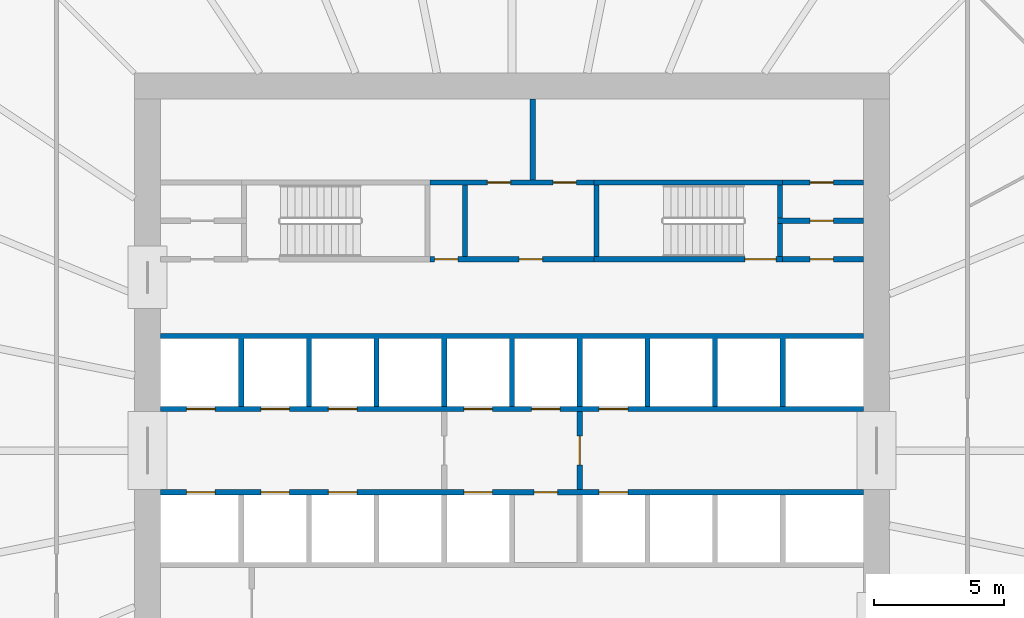
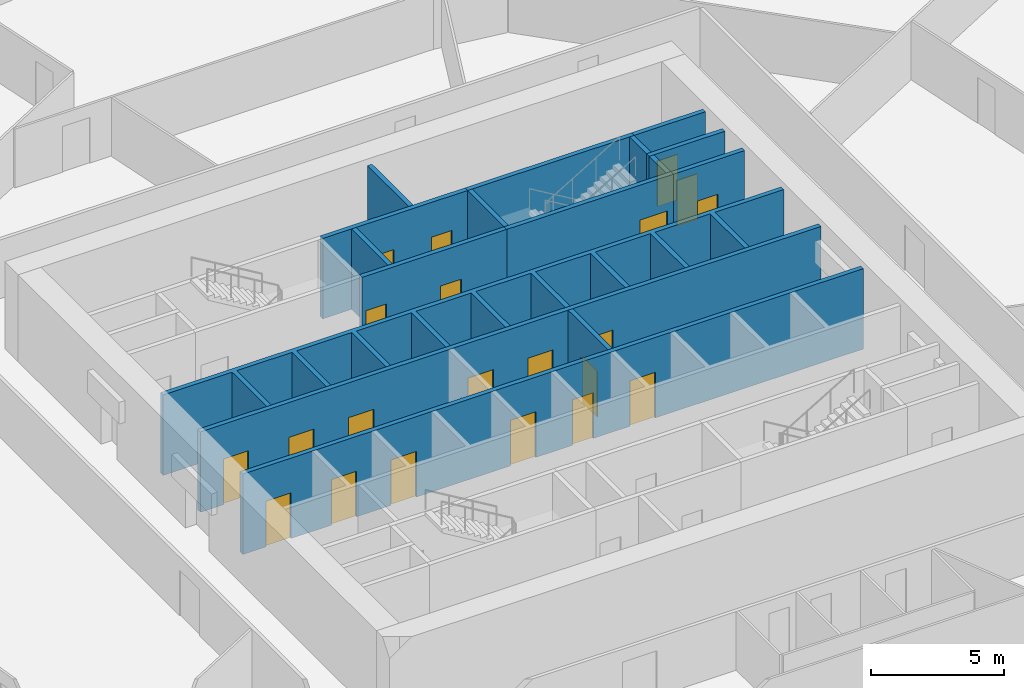
# One storey, part 6 of 8: 21 doors, 16 walls, 21 openings.
"""IFC4 building model written with IfcOpenShell, lengths in metres."""

from ifc_helpers import new_model, si_unit, direction, frame, frame_2d, origin, place, context, subcontext, project, spatial, polyline, rectangle, outline, extrude, material, layer, layer_set, type_object, element, fill, save


model = new_model("IFC4")

# Units and contexts
model_context = context("Model", 3, precision=1e-05, world=origin(), true_north=direction((0.0, 1.0)))
body_context = subcontext(model_context, "Body", "Model", "MODEL_VIEW")
ifc_project = project(units=[si_unit("LENGTHUNIT", "METRE"), si_unit("AREAUNIT", "SQUARE_METRE"), si_unit("VOLUMEUNIT", "CUBIC_METRE"), si_unit("PLANEANGLEUNIT", "RADIAN"), si_unit("MASSUNIT", "GRAM", prefix="KILO")], contexts=[model_context])

# Site, building, storey
site_placement = place(None, origin())
site = spatial("IfcSite", under=ifc_project, at=site_placement, CompositionType="ELEMENT")
building_placement = place(site_placement, origin())
building = spatial("IfcBuilding", under=site, at=building_placement, Name="Corvane Civic Tower", CompositionType="ELEMENT")
storey_placement = place(building_placement, frame((0.0, 0.0, 110.5)))
storey = spatial("IfcBuildingStorey", under=building, at=storey_placement, Name="L25", CompositionType="ELEMENT", Elevation=110.5)

# Wall, openings, doors
ifc_material_1 = material(Name="Concrete C30/37", Category="concrete")
ifc_layer_1 = layer(ifc_material_1, 0.199951171875)
ifc_layer_set_1 = layer_set([ifc_layer_1], Name="Concrete C30/37")
wall_type_1 = type_object("IfcWallType", Name="CR-WALL-200", PredefinedType="PARTITIONING", material=ifc_layer_set_1)
wall_1_placement = place(storey_placement, frame((-13.5, -1.60009765625, 0.0), z_axis=(0.0, 0.0, 1.0), x_axis=(1.0, 0.0, 0.0)))
wall_1 = element("IfcWall", 1, at=wall_1_placement, inside=storey, type_object=wall_type_1, Name="L25 lift shaft wall", PredefinedType="PARTITIONING", context=body_context, shape_type="SweptSolid", body=[
    extrude(rectangle(XDim=27.0, YDim=0.199951171875, at=frame_2d((13.5, 0.0))), origin(), (0.0, 0.0, 1.0), 3.699951171875),
])
opening_1_placement = place(wall_1_placement, frame((1.0, 0.0, 0.0)))
opening_1 = element("IfcOpeningElement", 2, at=opening_1_placement, cuts=wall_1, Name="Opening LD", PredefinedType="OPENING", context=body_context, shape_type="SweptSolid", body=[
    extrude(rectangle(XDim=1.10009765625, YDim=2.10009765625, at=frame_2d((0.550048828125, 1.050048828125))), frame((0.0, 0.10986328125, 0.0), z_axis=(0.0, -1.0, 0.0), x_axis=(1.0, 0.0, 0.0)), (0.0, 0.0, 1.0), 0.219970703125),
])
opening_2_placement = place(wall_1_placement, frame((3.85009765625, 0.0, 0.0)))
opening_2 = element("IfcOpeningElement", 3, at=opening_2_placement, cuts=wall_1, Name="Opening LD", PredefinedType="OPENING", context=body_context, shape_type="SweptSolid", body=[
    extrude(rectangle(XDim=1.10009765625, YDim=2.10009765625, at=frame_2d((0.550048828125, 1.050048828125))), frame((0.0, 0.10986328125, 0.0), z_axis=(0.0, -1.0, 0.0), x_axis=(1.0, 0.0, 0.0)), (0.0, 0.0, 1.0), 0.219970703125),
])
opening_3_placement = place(wall_1_placement, frame((6.449951171875, 0.0, 0.0)))
opening_3 = element("IfcOpeningElement", 4, at=opening_3_placement, cuts=wall_1, Name="Opening LD", PredefinedType="OPENING", context=body_context, shape_type="SweptSolid", body=[
    extrude(rectangle(XDim=1.10009765625, YDim=2.10009765625, at=frame_2d((0.550048828125, 1.050048828125))), frame((0.0, 0.10986328125, 0.0), z_axis=(0.0, -1.0, 0.0), x_axis=(1.0, 0.0, 0.0)), (0.0, 0.0, 1.0), 0.219970703125),
])
opening_4_placement = place(wall_1_placement, frame((11.64990234375, 0.0, 0.0)))
opening_4 = element("IfcOpeningElement", 5, at=opening_4_placement, cuts=wall_1, Name="Opening LD", PredefinedType="OPENING", context=body_context, shape_type="SweptSolid", body=[
    extrude(rectangle(XDim=1.10009765625, YDim=2.10009765625, at=frame_2d((0.550048828125, 1.050048828125))), frame((0.0, 0.10986328125, 0.0), z_axis=(0.0, -1.0, 0.0), x_axis=(1.0, 0.0, 0.0)), (0.0, 0.0, 1.0), 0.219970703125),
])
opening_5_placement = place(wall_1_placement, frame((14.35009765625, 0.0, 0.0)))
opening_5 = element("IfcOpeningElement", 6, at=opening_5_placement, cuts=wall_1, Name="Opening L25.C01", PredefinedType="OPENING", context=body_context, shape_type="SweptSolid", body=[
    extrude(rectangle(XDim=0.89990234375, YDim=2.10009765625, at=frame_2d((0.449951171875, 1.050048828125))), frame((0.0, 0.10986328125, 0.0), z_axis=(0.0, -1.0, 0.0), x_axis=(1.0, 0.0, 0.0)), (0.0, 0.0, 1.0), 0.219970703125),
])
opening_6_placement = place(wall_1_placement, frame((16.85009765625, 0.0, 0.0)))
opening_6 = element("IfcOpeningElement", 7, at=opening_6_placement, cuts=wall_1, Name="Opening LD", PredefinedType="OPENING", context=body_context, shape_type="SweptSolid", body=[
    extrude(rectangle(XDim=1.10009765625, YDim=2.10009765625, at=frame_2d((0.550048828125, 1.050048828125))), frame((0.0, 0.10986328125, 0.0), z_axis=(0.0, -1.0, 0.0), x_axis=(1.0, 0.0, 0.0)), (0.0, 0.0, 1.0), 0.219970703125),
])
ifc_material_2 = material(Name="Steel fire door leaf", Category="steel")
door_type_1 = type_object("IfcDoorType", Name="CR-DOOR-900", OperationType="SINGLE_SWING_LEFT", PredefinedType="DOOR", material=ifc_material_2)
door_1_placement = place(opening_5_placement, origin())
door_1 = element("IfcDoor", 8, at=door_1_placement, inside=storey, type_object=door_type_1, Name="L25 door", OperationType="SINGLE_SWING_LEFT", OverallHeight=2.10009765625, OverallWidth=0.89990234375, PredefinedType="DOOR", context=body_context, shape_type="SweptSolid", body=[
    extrude(rectangle(XDim=0.89990234375, YDim=2.10009765625, at=frame_2d((0.449951171875, 1.050048828125))), frame((0.0, 0.02490234375, 0.0), z_axis=(0.0, -1.0, 0.0), x_axis=(1.0, 0.0, 0.0)), (0.0, 0.0, 1.0), 0.050048828125),
])
fill(opening_5, door_1)
ifc_material_3 = material(Name="Stainless steel 316 door leaves", Category="steel")
door_type_2 = type_object("IfcDoorType", Name="LD", OperationType="DOUBLE_DOOR_SLIDING", PredefinedType="DOOR", material=ifc_material_3)
door_2_placement = place(opening_1_placement, origin())
door_2 = element("IfcDoor", 9, at=door_2_placement, inside=storey, type_object=door_type_2, Name="L25 landing door", OperationType="DOUBLE_DOOR_SLIDING", OverallHeight=2.10009765625, OverallWidth=1.10009765625, PredefinedType="DOOR", context=body_context, shape_type="SweptSolid", body=[
    extrude(rectangle(XDim=1.10009765625, YDim=2.10009765625, at=frame_2d((0.550048828125, 1.050048828125))), frame((0.0, 0.02490234375, 0.0), z_axis=(0.0, -1.0, 0.0), x_axis=(1.0, 0.0, 0.0)), (0.0, 0.0, 1.0), 0.050048828125),
])
fill(opening_1, door_2)
door_3_placement = place(opening_2_placement, origin())
door_3 = element("IfcDoor", 10, at=door_3_placement, inside=storey, type_object=door_type_2, Name="L25 landing door", OperationType="DOUBLE_DOOR_SLIDING", OverallHeight=2.10009765625, OverallWidth=1.10009765625, PredefinedType="DOOR", context=body_context, shape_type="SweptSolid", body=[
    extrude(rectangle(XDim=1.10009765625, YDim=2.10009765625, at=frame_2d((0.550048828125, 1.050048828125))), frame((0.0, 0.02490234375, 0.0), z_axis=(0.0, -1.0, 0.0), x_axis=(1.0, 0.0, 0.0)), (0.0, 0.0, 1.0), 0.050048828125),
])
fill(opening_2, door_3)
door_4_placement = place(opening_3_placement, origin())
door_4 = element("IfcDoor", 11, at=door_4_placement, inside=storey, type_object=door_type_2, Name="L25 landing door", OperationType="DOUBLE_DOOR_SLIDING", OverallHeight=2.10009765625, OverallWidth=1.10009765625, PredefinedType="DOOR", context=body_context, shape_type="SweptSolid", body=[
    extrude(rectangle(XDim=1.10009765625, YDim=2.10009765625, at=frame_2d((0.550048828125, 1.050048828125))), frame((0.0, 0.02490234375, 0.0), z_axis=(0.0, -1.0, 0.0), x_axis=(1.0, 0.0, 0.0)), (0.0, 0.0, 1.0), 0.050048828125),
])
fill(opening_3, door_4)
door_5_placement = place(opening_4_placement, origin())
door_5 = element("IfcDoor", 12, at=door_5_placement, inside=storey, type_object=door_type_2, Name="L25 landing door", OperationType="DOUBLE_DOOR_SLIDING", OverallHeight=2.10009765625, OverallWidth=1.10009765625, PredefinedType="DOOR", context=body_context, shape_type="SweptSolid", body=[
    extrude(rectangle(XDim=1.10009765625, YDim=2.10009765625, at=frame_2d((0.550048828125, 1.050048828125))), frame((0.0, 0.02490234375, 0.0), z_axis=(0.0, -1.0, 0.0), x_axis=(1.0, 0.0, 0.0)), (0.0, 0.0, 1.0), 0.050048828125),
])
fill(opening_4, door_5)
door_6_placement = place(opening_6_placement, origin())
door_6 = element("IfcDoor", 13, at=door_6_placement, inside=storey, type_object=door_type_2, Name="L25 landing door", OperationType="DOUBLE_DOOR_SLIDING", OverallHeight=2.10009765625, OverallWidth=1.10009765625, PredefinedType="DOOR", context=body_context, shape_type="SweptSolid", body=[
    extrude(rectangle(XDim=1.10009765625, YDim=2.10009765625, at=frame_2d((0.550048828125, 1.050048828125))), frame((0.0, 0.02490234375, 0.0), z_axis=(0.0, -1.0, 0.0), x_axis=(1.0, 0.0, 0.0)), (0.0, 0.0, 1.0), 0.050048828125),
])
fill(opening_6, door_6)

wall_2_placement = place(storey_placement, frame((-13.5, 1.60009765625, 0.0), z_axis=(0.0, 0.0, 1.0), x_axis=(1.0, 0.0, 0.0)))
wall_2 = element("IfcWall", 14, at=wall_2_placement, inside=storey, type_object=wall_type_1, Name="L25 lift shaft wall", PredefinedType="PARTITIONING", context=body_context, shape_type="SweptSolid", body=[
    extrude(rectangle(XDim=27.0, YDim=0.199951171875, at=frame_2d((13.5, 0.0))), origin(), (0.0, 0.0, 1.0), 3.699951171875),
])
opening_7_placement = place(wall_2_placement, frame((1.0, 0.0, 0.0)))
opening_7 = element("IfcOpeningElement", 15, at=opening_7_placement, cuts=wall_2, Name="Opening LD", PredefinedType="OPENING", context=body_context, shape_type="SweptSolid", body=[
    extrude(rectangle(XDim=1.10009765625, YDim=2.10009765625, at=frame_2d((0.550048828125, 1.050048828125))), frame((0.0, 0.10986328125, 0.0), z_axis=(0.0, -1.0, 0.0), x_axis=(1.0, 0.0, 0.0)), (0.0, 0.0, 1.0), 0.219970703125),
])
opening_8_placement = place(wall_2_placement, frame((3.85009765625, 0.0, 0.0)))
opening_8 = element("IfcOpeningElement", 16, at=opening_8_placement, cuts=wall_2, Name="Opening LD", PredefinedType="OPENING", context=body_context, shape_type="SweptSolid", body=[
    extrude(rectangle(XDim=1.10009765625, YDim=2.10009765625, at=frame_2d((0.550048828125, 1.050048828125))), frame((0.0, 0.10986328125, 0.0), z_axis=(0.0, -1.0, 0.0), x_axis=(1.0, 0.0, 0.0)), (0.0, 0.0, 1.0), 0.219970703125),
])
opening_9_placement = place(wall_2_placement, frame((6.449951171875, 0.0, 0.0)))
opening_9 = element("IfcOpeningElement", 17, at=opening_9_placement, cuts=wall_2, Name="Opening LD", PredefinedType="OPENING", context=body_context, shape_type="SweptSolid", body=[
    extrude(rectangle(XDim=1.10009765625, YDim=2.10009765625, at=frame_2d((0.550048828125, 1.050048828125))), frame((0.0, 0.10986328125, 0.0), z_axis=(0.0, -1.0, 0.0), x_axis=(1.0, 0.0, 0.0)), (0.0, 0.0, 1.0), 0.219970703125),
])
opening_10_placement = place(wall_2_placement, frame((11.64990234375, 0.0, 0.0)))
opening_10 = element("IfcOpeningElement", 18, at=opening_10_placement, cuts=wall_2, Name="Opening LD", PredefinedType="OPENING", context=body_context, shape_type="SweptSolid", body=[
    extrude(rectangle(XDim=1.10009765625, YDim=2.10009765625, at=frame_2d((0.550048828125, 1.050048828125))), frame((0.0, 0.10986328125, 0.0), z_axis=(0.0, -1.0, 0.0), x_axis=(1.0, 0.0, 0.0)), (0.0, 0.0, 1.0), 0.219970703125),
])
opening_11_placement = place(wall_2_placement, frame((14.25, 0.0, 0.0)))
opening_11 = element("IfcOpeningElement", 19, at=opening_11_placement, cuts=wall_2, Name="Opening LD", PredefinedType="OPENING", context=body_context, shape_type="SweptSolid", body=[
    extrude(rectangle(XDim=1.10009765625, YDim=2.10009765625, at=frame_2d((0.550048828125, 1.050048828125))), frame((0.0, 0.10986328125, 0.0), z_axis=(0.0, -1.0, 0.0), x_axis=(1.0, 0.0, 0.0)), (0.0, 0.0, 1.0), 0.219970703125),
])
opening_12_placement = place(wall_2_placement, frame((16.85009765625, 0.0, 0.0)))
opening_12 = element("IfcOpeningElement", 20, at=opening_12_placement, cuts=wall_2, Name="Opening LD", PredefinedType="OPENING", context=body_context, shape_type="SweptSolid", body=[
    extrude(rectangle(XDim=1.10009765625, YDim=2.10009765625, at=frame_2d((0.550048828125, 1.050048828125))), frame((0.0, 0.10986328125, 0.0), z_axis=(0.0, -1.0, 0.0), x_axis=(1.0, 0.0, 0.0)), (0.0, 0.0, 1.0), 0.219970703125),
])
door_7_placement = place(opening_7_placement, origin())
door_7 = element("IfcDoor", 21, at=door_7_placement, inside=storey, type_object=door_type_2, Name="L25 landing door", OperationType="DOUBLE_DOOR_SLIDING", OverallHeight=2.10009765625, OverallWidth=1.10009765625, PredefinedType="DOOR", context=body_context, shape_type="SweptSolid", body=[
    extrude(rectangle(XDim=1.10009765625, YDim=2.10009765625, at=frame_2d((0.550048828125, 1.050048828125))), frame((0.0, 0.02490234375, 0.0), z_axis=(0.0, -1.0, 0.0), x_axis=(1.0, 0.0, 0.0)), (0.0, 0.0, 1.0), 0.050048828125),
])
fill(opening_7, door_7)
door_8_placement = place(opening_8_placement, origin())
door_8 = element("IfcDoor", 22, at=door_8_placement, inside=storey, type_object=door_type_2, Name="L25 landing door", OperationType="DOUBLE_DOOR_SLIDING", OverallHeight=2.10009765625, OverallWidth=1.10009765625, PredefinedType="DOOR", context=body_context, shape_type="SweptSolid", body=[
    extrude(rectangle(XDim=1.10009765625, YDim=2.10009765625, at=frame_2d((0.550048828125, 1.050048828125))), frame((0.0, 0.02490234375, 0.0), z_axis=(0.0, -1.0, 0.0), x_axis=(1.0, 0.0, 0.0)), (0.0, 0.0, 1.0), 0.050048828125),
])
fill(opening_8, door_8)
door_9_placement = place(opening_9_placement, origin())
door_9 = element("IfcDoor", 23, at=door_9_placement, inside=storey, type_object=door_type_2, Name="L25 landing door", OperationType="DOUBLE_DOOR_SLIDING", OverallHeight=2.10009765625, OverallWidth=1.10009765625, PredefinedType="DOOR", context=body_context, shape_type="SweptSolid", body=[
    extrude(rectangle(XDim=1.10009765625, YDim=2.10009765625, at=frame_2d((0.550048828125, 1.050048828125))), frame((0.0, 0.02490234375, 0.0), z_axis=(0.0, -1.0, 0.0), x_axis=(1.0, 0.0, 0.0)), (0.0, 0.0, 1.0), 0.050048828125),
])
fill(opening_9, door_9)
door_10_placement = place(opening_10_placement, origin())
door_10 = element("IfcDoor", 24, at=door_10_placement, inside=storey, type_object=door_type_2, Name="L25 landing door", OperationType="DOUBLE_DOOR_SLIDING", OverallHeight=2.10009765625, OverallWidth=1.10009765625, PredefinedType="DOOR", context=body_context, shape_type="SweptSolid", body=[
    extrude(rectangle(XDim=1.10009765625, YDim=2.10009765625, at=frame_2d((0.550048828125, 1.050048828125))), frame((0.0, 0.02490234375, 0.0), z_axis=(0.0, -1.0, 0.0), x_axis=(1.0, 0.0, 0.0)), (0.0, 0.0, 1.0), 0.050048828125),
])
fill(opening_10, door_10)
door_11_placement = place(opening_11_placement, origin())
door_11 = element("IfcDoor", 25, at=door_11_placement, inside=storey, type_object=door_type_2, Name="L25 landing door", OperationType="DOUBLE_DOOR_SLIDING", OverallHeight=2.10009765625, OverallWidth=1.10009765625, PredefinedType="DOOR", context=body_context, shape_type="SweptSolid", body=[
    extrude(rectangle(XDim=1.10009765625, YDim=2.10009765625, at=frame_2d((0.550048828125, 1.050048828125))), frame((0.0, 0.02490234375, 0.0), z_axis=(0.0, -1.0, 0.0), x_axis=(1.0, 0.0, 0.0)), (0.0, 0.0, 1.0), 0.050048828125),
])
fill(opening_11, door_11)
door_12_placement = place(opening_12_placement, origin())
door_12 = element("IfcDoor", 26, at=door_12_placement, inside=storey, type_object=door_type_2, Name="L25 landing door", OperationType="DOUBLE_DOOR_SLIDING", OverallHeight=2.10009765625, OverallWidth=1.10009765625, PredefinedType="DOOR", context=body_context, shape_type="SweptSolid", body=[
    extrude(rectangle(XDim=1.10009765625, YDim=2.10009765625, at=frame_2d((0.550048828125, 1.050048828125))), frame((0.0, 0.02490234375, 0.0), z_axis=(0.0, -1.0, 0.0), x_axis=(1.0, 0.0, 0.0)), (0.0, 0.0, 1.0), 0.050048828125),
])
fill(opening_12, door_12)

wall_3_placement = place(storey_placement, frame((-3.14990234375, 7.35009765625, 0.0), z_axis=(0.0, 0.0, 1.0), x_axis=(1.0, 0.0, 0.0)))
wall_3 = element("IfcWall", 27, at=wall_3_placement, inside=storey, type_object=wall_type_1, Name="L25 core partition wall", PredefinedType="PARTITIONING", context=body_context, shape_type="SweptSolid", body=[
    extrude(rectangle(XDim=6.2998046875, YDim=0.199951171875, at=frame_2d((3.14990234375, 0.0))), origin(), (0.0, 0.0, 1.0), 3.699951171875),
])
opening_13_placement = place(wall_3_placement, frame((0.175048828125, 0.0, 0.0)))
opening_13 = element("IfcOpeningElement", 28, at=opening_13_placement, cuts=wall_3, Name="Opening L25.C02", PredefinedType="OPENING", context=body_context, shape_type="SweptSolid", body=[
    extrude(rectangle(XDim=0.89990234375, YDim=2.10009765625, at=frame_2d((0.449951171875, 1.050048828125))), frame((0.0, 0.10986328125, 0.0), z_axis=(0.0, -1.0, 0.0), x_axis=(1.0, 0.0, 0.0)), (0.0, 0.0, 1.0), 0.219970703125),
])
opening_14_placement = place(wall_3_placement, frame((3.425048828125, 0.0, 0.0)))
opening_14 = element("IfcOpeningElement", 29, at=opening_14_placement, cuts=wall_3, Name="Opening L25.C03", PredefinedType="OPENING", context=body_context, shape_type="SweptSolid", body=[
    extrude(rectangle(XDim=0.89990234375, YDim=2.10009765625, at=frame_2d((0.449951171875, 1.050048828125))), frame((0.0, 0.10986328125, 0.0), z_axis=(0.0, -1.0, 0.0), x_axis=(1.0, 0.0, 0.0)), (0.0, 0.0, 1.0), 0.219970703125),
])
door_13_placement = place(opening_13_placement, origin())
door_13 = element("IfcDoor", 30, at=door_13_placement, inside=storey, type_object=door_type_1, Name="L25 door", OperationType="SINGLE_SWING_LEFT", OverallHeight=2.10009765625, OverallWidth=0.89990234375, PredefinedType="DOOR", context=body_context, shape_type="SweptSolid", body=[
    extrude(rectangle(XDim=0.89990234375, YDim=2.10009765625, at=frame_2d((0.449951171875, 1.050048828125))), frame((0.0, 0.02490234375, 0.0), z_axis=(0.0, -1.0, 0.0), x_axis=(1.0, 0.0, 0.0)), (0.0, 0.0, 1.0), 0.050048828125),
])
fill(opening_13, door_13)
door_14_placement = place(opening_14_placement, origin())
door_14 = element("IfcDoor", 31, at=door_14_placement, inside=storey, type_object=door_type_1, Name="L25 door", OperationType="SINGLE_SWING_LEFT", OverallHeight=2.10009765625, OverallWidth=0.89990234375, PredefinedType="DOOR", context=body_context, shape_type="SweptSolid", body=[
    extrude(rectangle(XDim=0.89990234375, YDim=2.10009765625, at=frame_2d((0.449951171875, 1.050048828125))), frame((0.0, 0.02490234375, 0.0), z_axis=(0.0, -1.0, 0.0), x_axis=(1.0, 0.0, 0.0)), (0.0, 0.0, 1.0), 0.050048828125),
])
fill(opening_14, door_14)

# Wall, opening, door
wall_4_placement = place(storey_placement, frame((10.39990234375, 7.35009765625, 0.0), z_axis=(0.0, 0.0, 1.0), x_axis=(1.0, 0.0, 0.0)))
wall_4 = element("IfcWall", 32, at=wall_4_placement, inside=storey, type_object=wall_type_1, Name="L25 core partition wall", PredefinedType="PARTITIONING", context=body_context, shape_type="SweptSolid", body=[
    extrude(rectangle(XDim=3.10009765625, YDim=0.199951171875, at=frame_2d((1.550048828125, 0.0))), origin(), (0.0, 0.0, 1.0), 3.699951171875),
])
opening_15_placement = place(wall_4_placement, frame((1.050048828125, 0.0, 0.0)))
opening_15 = element("IfcOpeningElement", 33, at=opening_15_placement, cuts=wall_4, Name="Opening L25.C14", PredefinedType="OPENING", context=body_context, shape_type="SweptSolid", body=[
    extrude(rectangle(XDim=0.89990234375, YDim=2.10009765625, at=frame_2d((0.449951171875, 1.050048828125))), frame((0.0, 0.10986328125, 0.0), z_axis=(0.0, -1.0, 0.0), x_axis=(1.0, 0.0, 0.0)), (0.0, 0.0, 1.0), 0.219970703125),
])
door_15_placement = place(opening_15_placement, origin())
door_15 = element("IfcDoor", 34, at=door_15_placement, inside=storey, type_object=door_type_1, Name="L25 door", OperationType="SINGLE_SWING_LEFT", OverallHeight=2.10009765625, OverallWidth=0.89990234375, PredefinedType="DOOR", context=body_context, shape_type="SweptSolid", body=[
    extrude(rectangle(XDim=0.89990234375, YDim=2.10009765625, at=frame_2d((0.449951171875, 1.050048828125))), frame((0.0, 0.02490234375, 0.0), z_axis=(0.0, -1.0, 0.0), x_axis=(1.0, 0.0, 0.0)), (0.0, 0.0, 1.0), 0.050048828125),
])
fill(opening_15, door_15)

wall_5_placement = place(storey_placement, frame((10.199951171875, 8.824951171875, 0.0), z_axis=(0.0, 0.0, 1.0), x_axis=(1.0, 0.0, 0.0)))
wall_5 = element("IfcWall", 35, at=wall_5_placement, inside=storey, type_object=wall_type_1, Name="L25 partition wall", PredefinedType="PARTITIONING", context=body_context, shape_type="SweptSolid", body=[
    extrude(rectangle(XDim=3.300048828125, YDim=0.199951171875, at=frame_2d((1.64990234375, 0.0))), origin(), (0.0, 0.0, 1.0), 3.699951171875),
])
opening_16_placement = place(wall_5_placement, frame((1.25, 0.0, 0.0)))
opening_16 = element("IfcOpeningElement", 36, at=opening_16_placement, cuts=wall_5, Name="Opening L25.C15", PredefinedType="OPENING", context=body_context, shape_type="SweptSolid", body=[
    extrude(rectangle(XDim=0.89990234375, YDim=2.10009765625, at=frame_2d((0.449951171875, 1.050048828125))), frame((0.0, 0.10986328125, 0.0), z_axis=(0.0, -1.0, 0.0), x_axis=(1.0, 0.0, 0.0)), (0.0, 0.0, 1.0), 0.219970703125),
])
door_16_placement = place(opening_16_placement, origin())
door_16 = element("IfcDoor", 37, at=door_16_placement, inside=storey, type_object=door_type_1, Name="L25 door", OperationType="SINGLE_SWING_LEFT", OverallHeight=2.10009765625, OverallWidth=0.89990234375, PredefinedType="DOOR", context=body_context, shape_type="SweptSolid", body=[
    extrude(rectangle(XDim=0.89990234375, YDim=2.10009765625, at=frame_2d((0.449951171875, 1.050048828125))), frame((0.0, 0.02490234375, 0.0), z_axis=(0.0, -1.0, 0.0), x_axis=(1.0, 0.0, 0.0)), (0.0, 0.0, 1.0), 0.050048828125),
])
fill(opening_16, door_16)

# Wall, openings, doors
wall_6_placement = place(storey_placement, frame((-3.14990234375, 10.300048828125, 0.0), z_axis=(0.0, 0.0, 1.0), x_axis=(1.0, 0.0, 0.0)))
wall_6 = element("IfcWall", 38, at=wall_6_placement, inside=storey, type_object=wall_type_1, Name="L25 partition wall", PredefinedType="PARTITIONING", context=body_context, shape_type="SweptSolid", body=[
    extrude(rectangle(XDim=6.2998046875, YDim=0.199951171875, at=frame_2d((3.14990234375, 0.0))), origin(), (0.0, 0.0, 1.0), 3.699951171875),
])
opening_17_placement = place(wall_6_placement, frame((2.199951171875, 0.0, 0.0)))
opening_17 = element("IfcOpeningElement", 39, at=opening_17_placement, cuts=wall_6, Name="Opening L25.C06", PredefinedType="OPENING", context=body_context, shape_type="SweptSolid", body=[
    extrude(rectangle(XDim=0.89990234375, YDim=2.10009765625, at=frame_2d((0.449951171875, 1.050048828125))), frame((0.0, 0.10986328125, 0.0), z_axis=(0.0, -1.0, 0.0), x_axis=(1.0, 0.0, 0.0)), (0.0, 0.0, 1.0), 0.219970703125),
])
opening_18_placement = place(wall_6_placement, frame((4.72509765625, 0.0, 0.0)))
opening_18 = element("IfcOpeningElement", 40, at=opening_18_placement, cuts=wall_6, Name="Opening L25.C07", PredefinedType="OPENING", context=body_context, shape_type="SweptSolid", body=[
    extrude(rectangle(XDim=0.89990234375, YDim=2.10009765625, at=frame_2d((0.449951171875, 1.050048828125))), frame((0.0, 0.10986328125, 0.0), z_axis=(0.0, -1.0, 0.0), x_axis=(1.0, 0.0, 0.0)), (0.0, 0.0, 1.0), 0.219970703125),
])
door_17_placement = place(opening_17_placement, origin())
door_17 = element("IfcDoor", 41, at=door_17_placement, inside=storey, type_object=door_type_1, Name="L25 door", OperationType="SINGLE_SWING_LEFT", OverallHeight=2.10009765625, OverallWidth=0.89990234375, PredefinedType="DOOR", context=body_context, shape_type="SweptSolid", body=[
    extrude(rectangle(XDim=0.89990234375, YDim=2.10009765625, at=frame_2d((0.449951171875, 1.050048828125))), frame((0.0, 0.02490234375, 0.0), z_axis=(0.0, -1.0, 0.0), x_axis=(1.0, 0.0, 0.0)), (0.0, 0.0, 1.0), 0.050048828125),
])
fill(opening_17, door_17)
door_18_placement = place(opening_18_placement, origin())
door_18 = element("IfcDoor", 42, at=door_18_placement, inside=storey, type_object=door_type_1, Name="L25 door", OperationType="SINGLE_SWING_LEFT", OverallHeight=2.10009765625, OverallWidth=0.89990234375, PredefinedType="DOOR", context=body_context, shape_type="SweptSolid", body=[
    extrude(rectangle(XDim=0.89990234375, YDim=2.10009765625, at=frame_2d((0.449951171875, 1.050048828125))), frame((0.0, 0.02490234375, 0.0), z_axis=(0.0, -1.0, 0.0), x_axis=(1.0, 0.0, 0.0)), (0.0, 0.0, 1.0), 0.050048828125),
])
fill(opening_18, door_18)

# Wall, opening, door
wall_7_placement = place(storey_placement, frame((10.39990234375, 10.300048828125, 0.0), z_axis=(0.0, 0.0, 1.0), x_axis=(1.0, 0.0, 0.0)))
wall_7 = element("IfcWall", 43, at=wall_7_placement, inside=storey, type_object=wall_type_1, Name="L25 partition wall", PredefinedType="PARTITIONING", context=body_context, shape_type="SweptSolid", body=[
    extrude(rectangle(XDim=3.10009765625, YDim=0.199951171875, at=frame_2d((1.550048828125, 0.0))), origin(), (0.0, 0.0, 1.0), 3.699951171875),
])
opening_19_placement = place(wall_7_placement, frame((1.050048828125, 0.0, 0.0)))
opening_19 = element("IfcOpeningElement", 44, at=opening_19_placement, cuts=wall_7, Name="Opening L25.C16", PredefinedType="OPENING", context=body_context, shape_type="SweptSolid", body=[
    extrude(rectangle(XDim=0.89990234375, YDim=2.10009765625, at=frame_2d((0.449951171875, 1.050048828125))), frame((0.0, 0.10986328125, 0.0), z_axis=(0.0, -1.0, 0.0), x_axis=(1.0, 0.0, 0.0)), (0.0, 0.0, 1.0), 0.219970703125),
])
door_19_placement = place(opening_19_placement, origin())
door_19 = element("IfcDoor", 45, at=door_19_placement, inside=storey, type_object=door_type_1, Name="L25 door", OperationType="SINGLE_SWING_LEFT", OverallHeight=2.10009765625, OverallWidth=0.89990234375, PredefinedType="DOOR", context=body_context, shape_type="SweptSolid", body=[
    extrude(rectangle(XDim=0.89990234375, YDim=2.10009765625, at=frame_2d((0.449951171875, 1.050048828125))), frame((0.0, 0.02490234375, 0.0), z_axis=(0.0, -1.0, 0.0), x_axis=(1.0, 0.0, 0.0)), (0.0, 0.0, 1.0), 0.050048828125),
])
fill(opening_19, door_19)

wall_8_placement = place(storey_placement, frame((2.60009765625, -1.5, 0.0), z_axis=(0.0, 0.0, 1.0), x_axis=(0.0, 1.0, 0.0)))
wall_8 = element("IfcWall", 46, at=wall_8_placement, inside=storey, type_object=wall_type_1, Name="L25 firefighting lobby wall", PredefinedType="PARTITIONING", context=body_context, shape_type="SweptSolid", body=[
    extrude(rectangle(XDim=3.0, YDim=0.199951171875, at=frame_2d((1.5, 0.0))), origin(), (0.0, 0.0, 1.0), 3.699951171875),
])
opening_20_placement = place(wall_8_placement, frame((0.949951171875, 0.0, 0.0)))
opening_20 = element("IfcOpeningElement", 47, at=opening_20_placement, cuts=wall_8, Name="Opening L25.C25", PredefinedType="OPENING", context=body_context, shape_type="SweptSolid", body=[
    extrude(rectangle(XDim=1.10009765625, YDim=2.10009765625, at=frame_2d((0.550048828125, 1.050048828125))), frame((0.0, 0.10986328125, 0.0), z_axis=(0.0, -1.0, 0.0), x_axis=(1.0, 0.0, 0.0)), (0.0, 0.0, 1.0), 0.219970703125),
])
ifc_material_4 = material(Name="Steel fire door leaf", Category="steel")
door_type_3 = type_object("IfcDoorType", Name="CR-DOOR-FFL-1100", OperationType="SINGLE_SWING_LEFT", PredefinedType="DOOR", material=ifc_material_4)
door_20_placement = place(opening_20_placement, origin())
door_20 = element("IfcDoor", 48, at=door_20_placement, inside=storey, type_object=door_type_3, Name="L25 lobby door", OperationType="SINGLE_SWING_LEFT", OverallHeight=2.10009765625, OverallWidth=1.10009765625, PredefinedType="DOOR", context=body_context, shape_type="SweptSolid", body=[
    extrude(rectangle(XDim=1.10009765625, YDim=2.10009765625, at=frame_2d((0.550048828125, 1.050048828125))), frame((0.0, 0.02490234375, 0.0), z_axis=(0.0, -1.0, 0.0), x_axis=(1.0, 0.0, 0.0)), (0.0, 0.0, 1.0), 0.050048828125),
])
fill(opening_20, door_20)

# Walls
wall_9_placement = place(storey_placement, origin())
element("IfcWall", 49, at=wall_9_placement, inside=storey, type_object=wall_type_1, Name="L25 core partition wall", PredefinedType="PARTITIONING", context=body_context, shape_type="SweptSolid", body=[
    extrude(outline(polyline([(-1.699951171875, 7.449951171875), (-1.89990234375, 7.449951171875), (-1.89990234375, 10.199951171875), (-1.699951171875, 10.199951171875), (-1.699951171875, 7.449951171875)])), origin(), (0.0, 0.0, 1.0), 3.699951171875),
])
wall_10_placement = place(storey_placement, origin())
element("IfcWall", 50, at=wall_10_placement, inside=storey, type_object=wall_type_1, Name="L25 core partition wall", PredefinedType="PARTITIONING", context=body_context, shape_type="SweptSolid", body=[
    extrude(outline(polyline([(0.10009765625, 1.699951171875), (-0.10009765625, 1.699951171875), (-0.10009765625, 4.300048828125), (-2.5, 4.300048828125), (-2.5, 1.699951171875), (-2.699951171875, 1.699951171875), (-2.699951171875, 4.300048828125), (-5.10009765625, 4.300048828125), (-5.10009765625, 1.699951171875), (-5.300048828125, 1.699951171875), (-5.300048828125, 4.300048828125), (-7.699951171875, 4.300048828125), (-7.699951171875, 1.699951171875), (-7.89990234375, 1.699951171875), (-7.89990234375, 4.300048828125), (-10.300048828125, 4.300048828125), (-10.300048828125, 1.699951171875), (-10.5, 1.699951171875), (-10.5, 4.300048828125), (-13.5, 4.300048828125), (-13.5, 4.5), (13.5, 4.5), (13.5, 4.300048828125), (10.5, 4.300048828125), (10.5, 1.699951171875), (10.300048828125, 1.699951171875), (10.300048828125, 4.300048828125), (7.89990234375, 4.300048828125), (7.89990234375, 1.699951171875), (7.699951171875, 1.699951171875), (7.699951171875, 4.300048828125), (5.300048828125, 4.300048828125), (5.300048828125, 1.699951171875), (5.10009765625, 1.699951171875), (5.10009765625, 4.300048828125), (2.699951171875, 4.300048828125), (2.699951171875, 1.699951171875), (2.5, 1.699951171875), (2.5, 4.300048828125), (0.10009765625, 4.300048828125), (0.10009765625, 1.699951171875)])), origin(), (0.0, 0.0, 1.0), 3.699951171875),
])
wall_11_placement = place(storey_placement, origin())
element("IfcWall", 51, at=wall_11_placement, inside=storey, type_object=wall_type_1, Name="L25 core partition wall", PredefinedType="PARTITIONING", context=body_context, shape_type="SweptSolid", body=[
    extrude(outline(polyline([(0.89990234375, 10.39990234375), (0.699951171875, 10.39990234375), (0.699951171875, 13.5), (0.89990234375, 13.5), (0.89990234375, 10.39990234375)])), origin(), (0.0, 0.0, 1.0), 3.699951171875),
])

# Wall, opening, door
ifc_material_5 = material(Name="Concrete C50/60", Category="concrete")
ifc_layer_2 = layer(ifc_material_5, 0.199951171875)
ifc_layer_set_2 = layer_set([ifc_layer_2], Name="Concrete C50/60")
wall_type_2 = type_object("IfcWallType", Name="ST-WALL-200", PredefinedType="SHEAR", material=ifc_layer_set_2)
wall_12_placement = place(storey_placement, frame((3.14990234375, 7.35009765625, 0.0), z_axis=(0.0, 0.0, 1.0), x_axis=(1.0, 0.0, 0.0)))
wall_12 = element("IfcWall", 52, at=wall_12_placement, inside=storey, type_object=wall_type_2, Name="L25 stair enclosure wall", PredefinedType="SHEAR", context=body_context, shape_type="SweptSolid", body=[
    extrude(rectangle(XDim=7.25, YDim=0.199951171875, at=frame_2d((3.625, 0.0))), origin(), (0.0, 0.0, 1.0), 3.699951171875),
])
opening_21_placement = place(wall_12_placement, frame((5.800048828125, 0.0, 0.0)))
opening_21 = element("IfcOpeningElement", 53, at=opening_21_placement, cuts=wall_12, Name="Opening L25.C20", PredefinedType="OPENING", context=body_context, shape_type="SweptSolid", body=[
    extrude(rectangle(XDim=1.199951171875, YDim=2.10009765625, at=frame_2d((0.60009765625, 1.050048828125))), frame((0.0, 0.10986328125, 0.0), z_axis=(0.0, -1.0, 0.0), x_axis=(1.0, 0.0, 0.0)), (0.0, 0.0, 1.0), 0.219970703125),
])
ifc_material_6 = material(Name="Steel fire door leaf", Category="steel")
door_type_4 = type_object("IfcDoorType", Name="ST-DOOR-1200", OperationType="SINGLE_SWING_RIGHT", PredefinedType="DOOR", material=ifc_material_6)
door_21_placement = place(opening_21_placement, origin())
door_21 = element("IfcDoor", 54, at=door_21_placement, inside=storey, type_object=door_type_4, Name="L25 stair door", OperationType="SINGLE_SWING_RIGHT", OverallHeight=2.10009765625, OverallWidth=1.199951171875, PredefinedType="DOOR", context=body_context, shape_type="SweptSolid", body=[
    extrude(rectangle(XDim=1.199951171875, YDim=2.10009765625, at=frame_2d((0.60009765625, 1.050048828125))), frame((0.0, 0.02490234375, 0.0), z_axis=(0.0, -1.0, 0.0), x_axis=(1.0, 0.0, 0.0)), (0.0, 0.0, 1.0), 0.050048828125),
])
fill(opening_21, door_21)

# Walls
wall_13_placement = place(storey_placement, origin())
element("IfcWall", 55, at=wall_13_placement, inside=storey, type_object=wall_type_2, Name="L25 stair enclosure wall", PredefinedType="SHEAR", context=body_context, shape_type="SweptSolid", body=[
    extrude(outline(polyline([(10.39990234375, 10.199951171875), (3.14990234375, 10.199951171875), (3.14990234375, 10.39990234375), (10.39990234375, 10.39990234375), (10.39990234375, 10.199951171875)])), origin(), (0.0, 0.0, 1.0), 3.699951171875),
])
wall_14_placement = place(storey_placement, origin())
element("IfcWall", 56, at=wall_14_placement, inside=storey, type_object=wall_type_2, Name="L25 stair enclosure wall", PredefinedType="SHEAR", context=body_context, shape_type="SweptSolid", body=[
    extrude(outline(polyline([(3.35009765625, 7.449951171875), (3.14990234375, 7.449951171875), (3.14990234375, 10.199951171875), (3.35009765625, 10.199951171875), (3.35009765625, 7.449951171875)])), origin(), (0.0, 0.0, 1.0), 3.699951171875),
])
wall_15_placement = place(storey_placement, origin())
element("IfcWall", 57, at=wall_15_placement, inside=storey, type_object=wall_type_2, Name="L25 stair enclosure wall", PredefinedType="SHEAR", context=body_context, shape_type="SweptSolid", body=[
    extrude(outline(polyline([(10.39990234375, 8.72509765625), (10.39990234375, 7.449951171875), (10.199951171875, 7.449951171875), (10.199951171875, 8.72509765625), (10.39990234375, 8.72509765625)])), origin(), (0.0, 0.0, 1.0), 3.699951171875),
])
wall_16_placement = place(storey_placement, origin())
element("IfcWall", 58, at=wall_16_placement, inside=storey, type_object=wall_type_2, Name="L25 stair enclosure wall", PredefinedType="SHEAR", context=body_context, shape_type="SweptSolid", body=[
    extrude(outline(polyline([(10.39990234375, 8.925048828125), (10.199951171875, 8.925048828125), (10.199951171875, 10.199951171875), (10.39990234375, 10.199951171875), (10.39990234375, 8.925048828125)])), origin(), (0.0, 0.0, 1.0), 3.699951171875),
])

save(model, "model.ifc")
